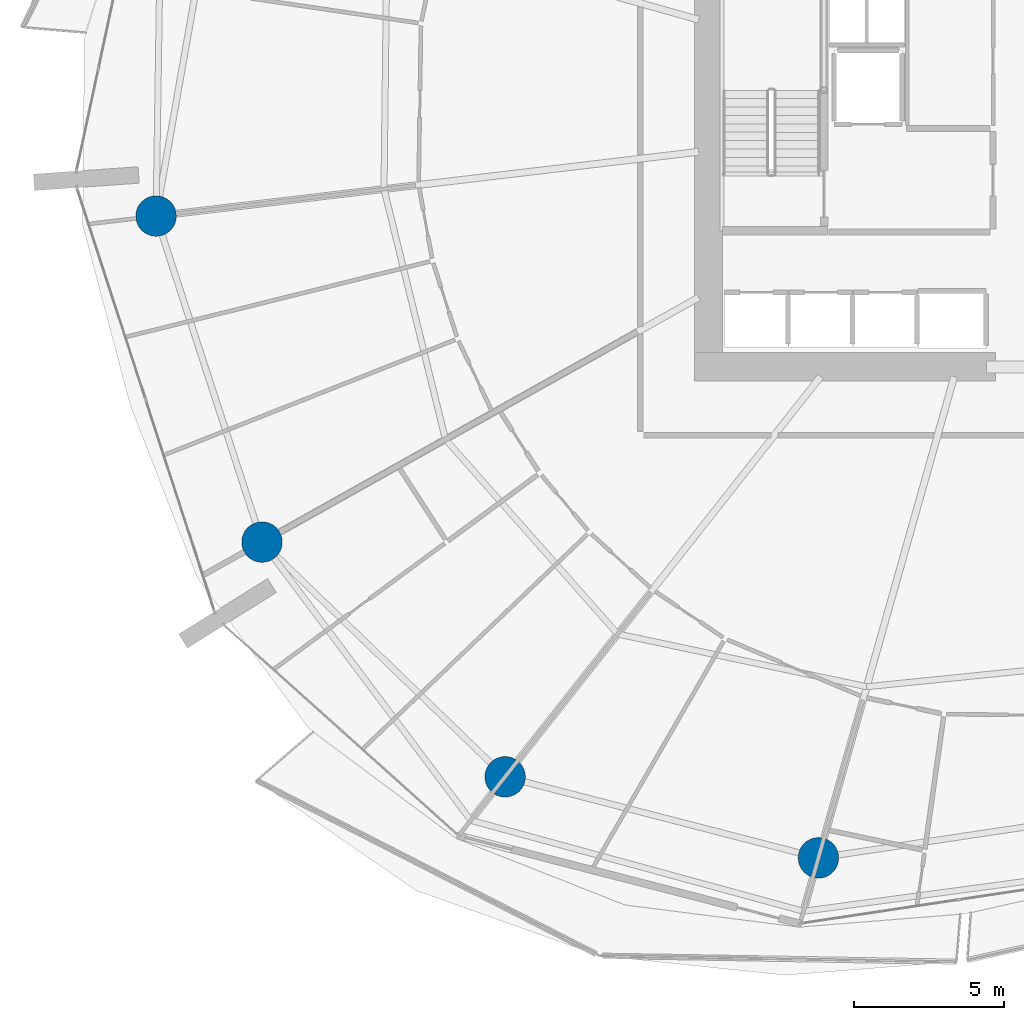
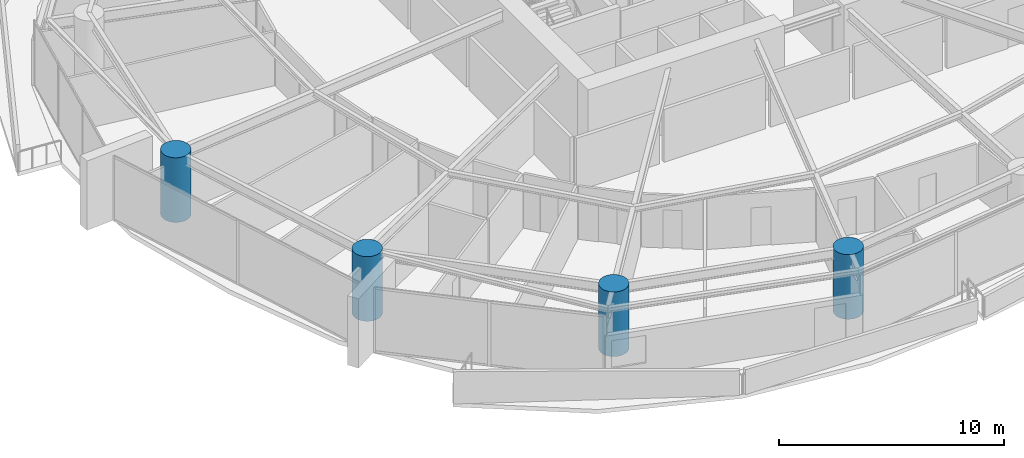
# One storey, part 1 of 31: 4 columns.
"""IFC4 building model written with IfcOpenShell, lengths in metres."""

from ifc_helpers import new_model, si_unit, direction, frame, origin, origin_2d, place, context, subcontext, project, spatial, circle, extrude, material, material_profile, profile_set, type_object, element, save


model = new_model("IFC4")

# Units and contexts
model_context = context("Model", 3, precision=1e-05, world=origin(), true_north=direction((0.0, 1.0)))
body_context = subcontext(model_context, "Body", "Model", "MODEL_VIEW")
ifc_project = project(units=[si_unit("LENGTHUNIT", "METRE"), si_unit("AREAUNIT", "SQUARE_METRE"), si_unit("VOLUMEUNIT", "CUBIC_METRE"), si_unit("PLANEANGLEUNIT", "RADIAN"), si_unit("MASSUNIT", "GRAM", prefix="KILO")], contexts=[model_context])

# Site, building, storey
site_placement = place(None, origin())
site = spatial("IfcSite", under=ifc_project, at=site_placement, CompositionType="ELEMENT")
building_placement = place(site_placement, origin())
building = spatial("IfcBuilding", under=site, at=building_placement, Name="Kazma Halo Residences", CompositionType="ELEMENT")
storey_placement = place(building_placement, frame((0.0, 0.0, 33.89990234375)))
storey = spatial("IfcBuildingStorey", under=building, at=storey_placement, Name="L07", CompositionType="ELEMENT", Elevation=33.89990234375)

# Columns
ifc_material = material(Name="Concrete C80/95", Category="concrete")
ifc_material_profile = material_profile(ifc_material, circle(Radius=0.675048828125, at=origin_2d()), Name="CIRC1350")
ifc_profile_set = profile_set([ifc_material_profile], Name="Concrete C80/95")
column_type = type_object("IfcColumnType", Name="COL-PERIM-1350", PredefinedType="COLUMN", material=ifc_profile_set)
for number, where, z_axis, x_axis, name in (
    (1, (18.902099609375, 38.555908203125, 0.0), (0.0, 0.0, 1.0), (1.0, 0.0, 0.0), "L07 perimeter ring column P08"),
    (2, (22.43505859375, 27.682861328125, 0.0), (0.0, 0.0, 1.0), (1.0, 0.0, 0.0), "L07 perimeter ring column P09"),
    (3, (30.541748046875, 19.854248046875, 0.0), (0.0, 0.0, 1.0), (1.0, 0.0, 0.0), "L07 perimeter ring column P10"),
    (4, (40.99169921875, 17.150634765625, 0.0), (0.0, 0.0, 1.0), (1.0, 0.0, 0.0), "L07 perimeter ring column P11"),
):
    element("IfcColumn", number, at=place(storey_placement, frame(where, z_axis=z_axis, x_axis=x_axis)), inside=storey, type_object=column_type, Name=name, PredefinedType="COLUMN", context=body_context, shape_type="SweptSolid", body=[
        extrude(circle(Radius=0.675048828125, at=origin_2d()), origin(), (0.0, 0.0, 1.0), 3.5),
    ])

save(model, "model.ifc")
